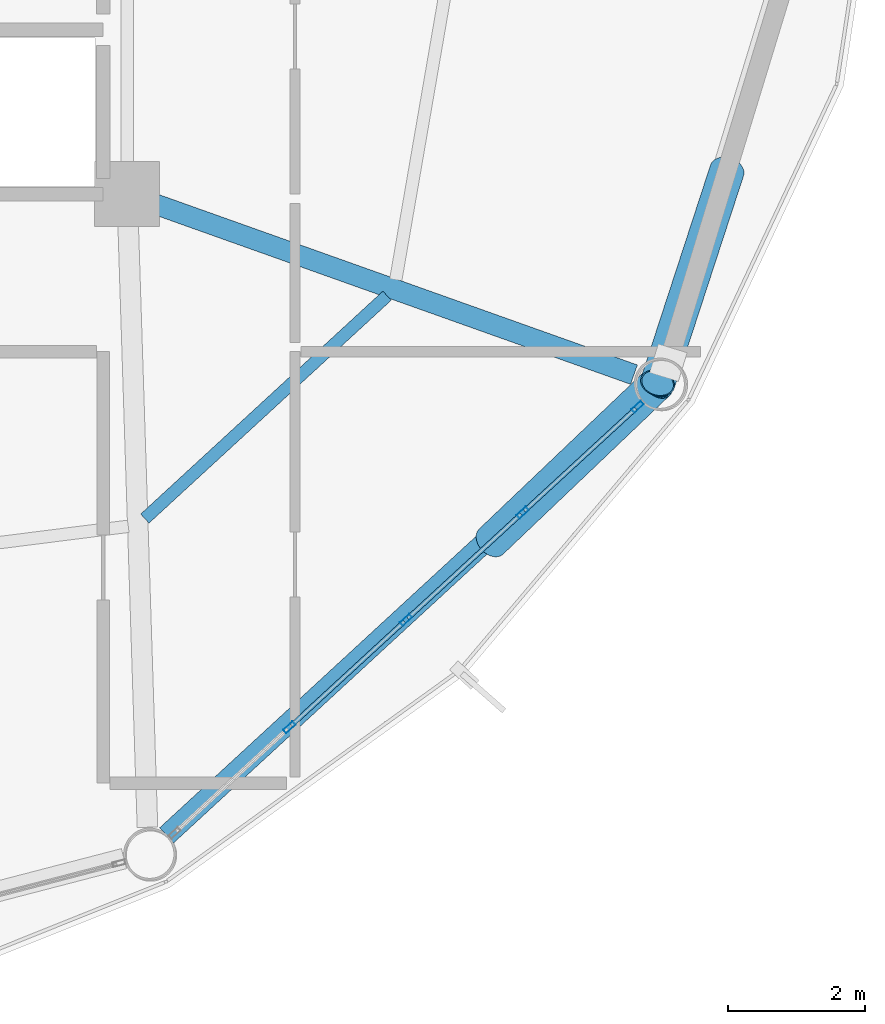
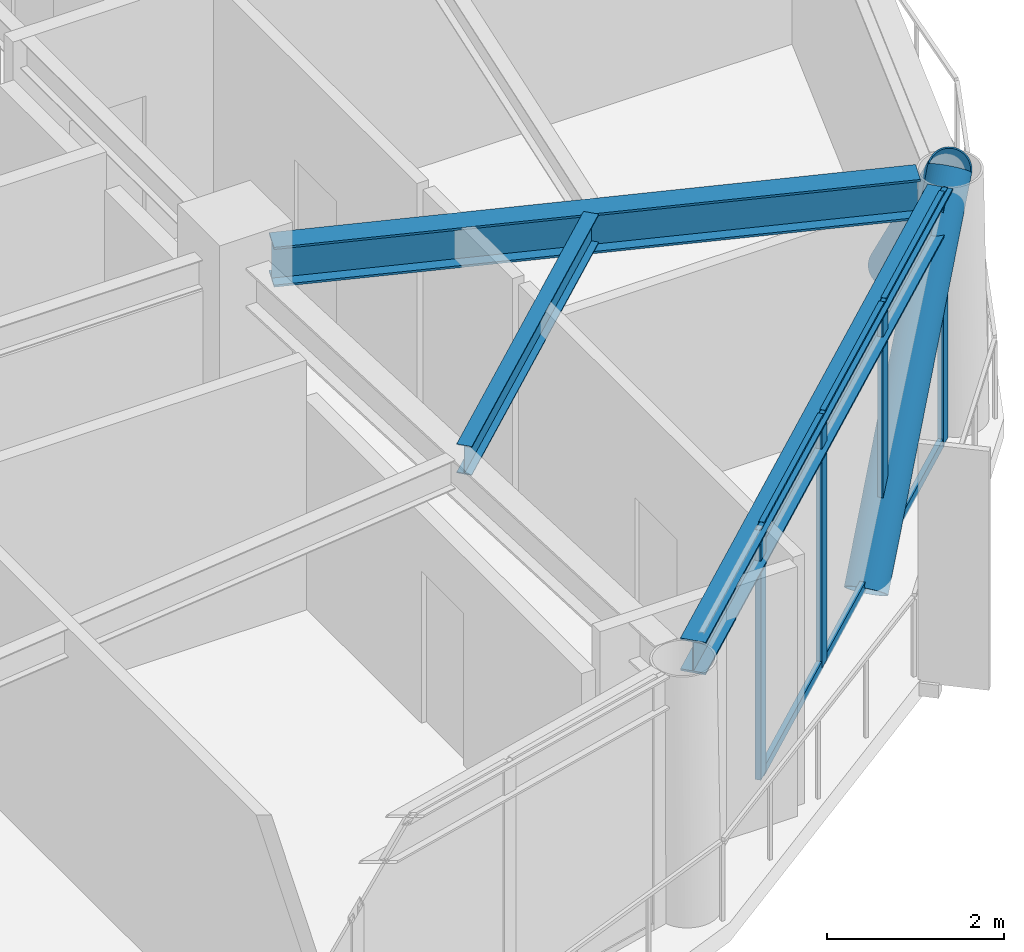
# One storey, part 14 of 26: 12 members, 3 beams, 1 element without a shape of its own.
"""IFC4 building model written with IfcOpenShell, lengths in metres."""

from ifc_helpers import new_model, si_unit, direction, frame, origin, origin_2d, place, context, subcontext, project, spatial, hollow_rectangle, hollow_circle, i_section, extrude, material, layer, layer_set, material_profile, profile_set, type_object, element, aggregate, save


model = new_model("IFC4")

# Units and contexts
model_context = context("Model", 3, precision=1e-05, world=origin(), true_north=direction((0.0, 1.0)))
body_context = subcontext(model_context, "Body", "Model", "MODEL_VIEW")
ifc_project = project(units=[si_unit("LENGTHUNIT", "METRE"), si_unit("AREAUNIT", "SQUARE_METRE"), si_unit("VOLUMEUNIT", "CUBIC_METRE"), si_unit("PLANEANGLEUNIT", "RADIAN"), si_unit("MASSUNIT", "GRAM", prefix="KILO")], contexts=[model_context])

# Site, building, storey
site_placement = place(None, origin())
site = spatial("IfcSite", under=ifc_project, at=site_placement, CompositionType="ELEMENT")
building_placement = place(site_placement, origin())
building = spatial("IfcBuilding", under=site, at=building_placement, Name="Varnakorn Sky Granary", CompositionType="ELEMENT")
storey_placement = place(building_placement, frame((0.0, 0.0, 165.60009765625)))
storey = spatial("IfcBuildingStorey", under=building, at=storey_placement, Name="L41", CompositionType="ELEMENT", Elevation=165.60009765625)

# Beams
ifc_material_1 = material(Name="Steel S355JR", Category="steel")
ifc_material_profile_1 = material_profile(ifc_material_1, i_section(OverallWidth=0.300048828125, OverallDepth=0.550048828125, WebThickness=0.014892578125, FlangeThickness=0.029052734375, at=origin_2d()), Name="HE 550 B")
ifc_profile_set_1 = profile_set([ifc_material_profile_1], Name="Steel S355JR")
beam_type_1 = type_object("IfcBeamType", Name="BM-RAD-Z3", PredefinedType="BEAM", material=ifc_profile_set_1)
beam_1_placement = place(storey_placement, frame((8.74560546875, -6.740966796875, 3.1748046875), z_axis=(0.942056549426, -0.335454106674, 0.0), x_axis=(0.335454106674, 0.942056549426, 0.0)))
element("IfcBeam", 1, at=beam_1_placement, inside=storey, type_object=beam_type_1, Name="Radial Floor Girder RG12 L41", PredefinedType="BEAM", context=body_context, shape_type="SweptSolid", body=[
    extrude(i_section(OverallWidth=0.300048828125, OverallDepth=0.550048828125, WebThickness=0.014892578125, FlangeThickness=0.029052734375, at=origin_2d()), origin(), (0.0, 0.0, 1.0), 7.43359375),
])
ifc_material_profile_2 = material_profile(ifc_material_1, i_section(OverallWidth=0.179931640625, OverallDepth=0.39990234375, WebThickness=0.008544921875, FlangeThickness=0.013427734375, at=origin_2d()), Name="IPE 400")
ifc_profile_set_2 = profile_set([ifc_material_profile_2], Name="Steel S355JR")
beam_type_2 = type_object("IfcBeamType", Name="BM-SEC-Z3", PredefinedType="BEAM", material=ifc_profile_set_2)
beam_2_placement = place(storey_placement, frame((8.607666015625, -11.336181640625, 3.25), z_axis=(0.735910759864, 0.677078543093, 0.0), x_axis=(-0.677078543093, 0.735910759864, 0.0)))
element("IfcBeam", 2, at=beam_2_placement, inside=storey, type_object=beam_type_2, Name="Secondary Floor Chord Beam MSB11 L41", PredefinedType="BEAM", context=body_context, shape_type="SweptSolid", body=[
    extrude(i_section(OverallWidth=0.179931640625, OverallDepth=0.39990234375, WebThickness=0.008544921875, FlangeThickness=0.013427734375, at=origin_2d()), origin(), (0.0, 0.0, 1.0), 4.805419921875),
])
ifc_material_profile_3 = material_profile(ifc_material_1, i_section(OverallWidth=0.300048828125, OverallDepth=0.449951171875, WebThickness=0.013916015625, FlangeThickness=0.02587890625, at=origin_2d()), Name="HE 450 B")
ifc_profile_set_3 = profile_set([ifc_material_profile_3], Name="Steel S355JR")
beam_type_3 = type_object("IfcBeamType", Name="BM-SPD-Z3", PredefinedType="SPANDREL", material=ifc_profile_set_3)
beam_3_placement = place(storey_placement, frame((8.9267578125, -15.959716796875, 3.224853515625), z_axis=(0.735474776919, 0.677552103174, 0.0), x_axis=(-0.677552103174, 0.735474776919, 0.0)))
element("IfcBeam", 3, at=beam_3_placement, inside=storey, type_object=beam_type_3, Name="Perimeter Spandrel Ring Beam RB11 L41", PredefinedType="SPANDREL", context=body_context, shape_type="SweptSolid", body=[
    extrude(i_section(OverallWidth=0.300048828125, OverallDepth=0.449951171875, WebThickness=0.013916015625, FlangeThickness=0.02587890625, at=origin_2d()), origin(), (0.0, 0.0, 1.0), 9.378173828125),
])

# Curtain wall, members
ifc_material_2 = material(Name="Anodised Bronze Aluminium Alloy 6063-T6", Category="aluminium")
ifc_layer = layer(ifc_material_2, 0.179931640625, Name="Anodised Bronze Aluminium Alloy 6063-T6")
ifc_layer_set = layer_set([ifc_layer], Name="Anodised Bronze Aluminium Alloy 6063-T6")
curtain_wall_type = type_object("IfcCurtainWallType", Name="CW-FRM-2", PredefinedType="USERDEFINED", material=ifc_layer_set)
curtain_wall_placement = place(storey_placement, origin())
curtain_wall = element("IfcCurtainWall", 4, at=curtain_wall_placement, inside=storey, type_object=curtain_wall_type, Name="Unitised Curtain Wall CW4 CW-L41-B11", ObjectType="CURTAIN WALL", PredefinedType="USERDEFINED")
ifc_material_profile_4 = material_profile(ifc_material_2, hollow_rectangle(XDim=0.070068359375, YDim=0.18505859375, WallThickness=0.00390625, at=origin_2d()), Name="ALU MULL 70x185")
ifc_profile_set_4 = profile_set([ifc_material_profile_4], Name="Anodised Bronze Aluminium Alloy 6063-T6")
member_type_1 = type_object("IfcMemberType", Name="CW-FRM-2-MULL", PredefinedType="MULLION", material=ifc_profile_set_4)
member_1_placement = place(storey_placement, frame((15.801025390625, -9.703857421875, 0.0), z_axis=(0.0, 0.0, 1.0), x_axis=(0.677284882962, -0.735720862359, 0.0)))
member_1 = element("IfcMember", 5, at=member_1_placement, type_object=member_type_1, Name="CW4 mullion 1", PredefinedType="MULLION", context=body_context, shape_type="SweptSolid", body=[
    extrude(hollow_rectangle(XDim=0.070068359375, YDim=0.18505859375, WallThickness=0.00390625, at=origin_2d()), origin(), (0.0, 0.0, 1.0), 3.449951171875),
])
member_2_placement = place(storey_placement, frame((14.1240234375, -11.247802734375, 0.0), z_axis=(0.0, 0.0, 1.0), x_axis=(0.677284882962, -0.735720862359, 0.0)))
member_2 = element("IfcMember", 6, at=member_2_placement, type_object=member_type_1, Name="CW4 mullion 2", PredefinedType="MULLION", context=body_context, shape_type="SweptSolid", body=[
    extrude(hollow_rectangle(XDim=0.070068359375, YDim=0.18505859375, WallThickness=0.00390625, at=origin_2d()), origin(), (0.0, 0.0, 1.0), 3.449951171875),
])
member_3_placement = place(storey_placement, frame((12.421142578125, -12.8154296875, 0.0), z_axis=(0.0, 0.0, 1.0), x_axis=(0.677284882962, -0.735720862359, 0.0)))
member_3 = element("IfcMember", 7, at=member_3_placement, type_object=member_type_1, Name="CW4 mullion 3", PredefinedType="MULLION", context=body_context, shape_type="SweptSolid", body=[
    extrude(hollow_rectangle(XDim=0.070068359375, YDim=0.18505859375, WallThickness=0.00390625, at=origin_2d()), origin(), (0.0, 0.0, 1.0), 3.449951171875),
])
member_4_placement = place(storey_placement, frame((10.71826171875, -14.3828125, 0.0), z_axis=(0.0, 0.0, 1.0), x_axis=(0.677284882962, -0.735720862359, 0.0)))
member_4 = element("IfcMember", 8, at=member_4_placement, type_object=member_type_1, Name="CW4 mullion 4", PredefinedType="MULLION", context=body_context, shape_type="SweptSolid", body=[
    extrude(hollow_rectangle(XDim=0.070068359375, YDim=0.18505859375, WallThickness=0.00390625, at=origin_2d()), origin(), (0.0, 0.0, 1.0), 3.449951171875),
])
ifc_material_profile_5 = material_profile(ifc_material_2, hollow_rectangle(XDim=0.06494140625, YDim=0.1201171875, WallThickness=0.00341796875, at=origin_2d()), Name="ALU TRAN 65x120")
ifc_profile_set_5 = profile_set([ifc_material_profile_5], Name="Anodised Bronze Aluminium Alloy 6063-T6")
member_type_2 = type_object("IfcMemberType", Name="CW-FRM-2-TRAN", PredefinedType="USERDEFINED", material=ifc_profile_set_5)
member_5_placement = place(storey_placement, frame((15.775390625, -9.7275390625, 0.032470703125), z_axis=(-0.73572618648, -0.677279099432, 0.0), x_axis=(0.677279099432, -0.73572618648, 0.0)))
member_5 = element("IfcMember", 9, at=member_5_placement, type_object=member_type_2, Name="CW4 transom 1.1", ObjectType="TRANSOM", PredefinedType="USERDEFINED", context=body_context, shape_type="SweptSolid", body=[
    extrude(hollow_rectangle(XDim=0.06494140625, YDim=0.1201171875, WallThickness=0.00341796875, at=origin_2d()), origin(), (0.0, 0.0, 1.0), 2.209716796875),
])
member_6_placement = place(storey_placement, frame((15.775390625, -9.7275390625, 3.41748046875), z_axis=(-0.73572618648, -0.677279099432, 0.0), x_axis=(0.677279099432, -0.73572618648, 0.0)))
member_6 = element("IfcMember", 10, at=member_6_placement, type_object=member_type_2, Name="CW4 transom 1.2", ObjectType="TRANSOM", PredefinedType="USERDEFINED", context=body_context, shape_type="SweptSolid", body=[
    extrude(hollow_rectangle(XDim=0.06494140625, YDim=0.1201171875, WallThickness=0.00341796875, at=origin_2d()), origin(), (0.0, 0.0, 1.0), 2.209716796875),
])
member_7_placement = place(storey_placement, frame((14.09814453125, -11.271484375, 0.032470703125), z_axis=(-0.735657784369, -0.677353396904, 0.0), x_axis=(0.677353396904, -0.735657784369, 0.0)))
member_7 = element("IfcMember", 11, at=member_7_placement, type_object=member_type_2, Name="CW4 transom 2.1", ObjectType="TRANSOM", PredefinedType="USERDEFINED", context=body_context, shape_type="SweptSolid", body=[
    extrude(hollow_rectangle(XDim=0.06494140625, YDim=0.1201171875, WallThickness=0.00341796875, at=origin_2d()), origin(), (0.0, 0.0, 1.0), 2.244384765625),
])
member_8_placement = place(storey_placement, frame((14.09814453125, -11.271484375, 3.41748046875), z_axis=(-0.735657784369, -0.677353396904, 0.0), x_axis=(0.677353396904, -0.735657784369, 0.0)))
member_8 = element("IfcMember", 12, at=member_8_placement, type_object=member_type_2, Name="CW4 transom 2.2", ObjectType="TRANSOM", PredefinedType="USERDEFINED", context=body_context, shape_type="SweptSolid", body=[
    extrude(hollow_rectangle(XDim=0.06494140625, YDim=0.1201171875, WallThickness=0.00341796875, at=origin_2d()), origin(), (0.0, 0.0, 1.0), 2.244384765625),
])
member_9_placement = place(storey_placement, frame((12.3955078125, -12.839111328125, 0.032470703125), z_axis=(-0.735761886195, -0.677240316891, 0.0), x_axis=(0.677240316891, -0.735761886195, 0.0)))
member_9 = element("IfcMember", 13, at=member_9_placement, type_object=member_type_2, Name="CW4 transom 3.1", ObjectType="TRANSOM", PredefinedType="USERDEFINED", context=body_context, shape_type="SweptSolid", body=[
    extrude(hollow_rectangle(XDim=0.06494140625, YDim=0.1201171875, WallThickness=0.00341796875, at=origin_2d()), origin(), (0.0, 0.0, 1.0), 2.244384765625),
])
member_10_placement = place(storey_placement, frame((12.3955078125, -12.839111328125, 3.41748046875), z_axis=(-0.735761886195, -0.677240316891, 0.0), x_axis=(0.677240316891, -0.735761886195, 0.0)))
member_10 = element("IfcMember", 14, at=member_10_placement, type_object=member_type_2, Name="CW4 transom 3.2", ObjectType="TRANSOM", PredefinedType="USERDEFINED", context=body_context, shape_type="SweptSolid", body=[
    extrude(hollow_rectangle(XDim=0.06494140625, YDim=0.1201171875, WallThickness=0.00341796875, at=origin_2d()), origin(), (0.0, 0.0, 1.0), 2.244384765625),
])
aggregate(curtain_wall, [member_1, member_2, member_3, member_4, member_5, member_6, member_7, member_8, member_9, member_10])

# Members
ifc_material_3 = material(Name="Steel S460M", Category="steel")
ifc_material_profile_6 = material_profile(ifc_material_3, hollow_circle(Radius=0.25390625, WallThickness=0.01806640625, at=origin_2d()), Name="CHS 508x18")
ifc_profile_set_6 = profile_set([ifc_material_profile_6], Name="Steel S460M")
member_type_3 = type_object("IfcMemberType", Name="MB-DIAG-T2", PredefinedType="BRACE", material=ifc_profile_set_6)
member_11_placement = place(storey_placement, frame((13.66455078125, -11.670654296875, -0.130126953125), z_axis=(0.49507169156, 0.471532396213, 0.729767921696), x_axis=(-0.689682435607, 0.72411196511, 0.0)))
element("IfcMember", 15, at=member_11_placement, inside=storey, type_object=member_type_3, Name="Perimeter CHS Diagrid Brace DG11 L41", PredefinedType="BRACE", context=body_context, shape_type="SweptSolid", body=[
    extrude(hollow_circle(Radius=0.25390625, WallThickness=0.01806640625, at=origin_2d()), origin(), (0.0, 0.0, 1.0), 4.90576171875),
])
member_12_placement = place(storey_placement, frame((17.1064453125, -6.25439453125, -0.130126953125), z_axis=(-0.209127198069, -0.640483539146, 0.738949694574), x_axis=(0.950609960255, -0.310387988596, 0.0)))
element("IfcMember", 16, at=member_12_placement, inside=storey, type_object=member_type_3, Name="Perimeter CHS Diagrid Brace DG12 L41", PredefinedType="BRACE", context=body_context, shape_type="SweptSolid", body=[
    extrude(hollow_circle(Radius=0.25390625, WallThickness=0.01806640625, at=origin_2d()), origin(), (0.0, 0.0, 1.0), 4.8447265625),
])

save(model, "model.ifc")
